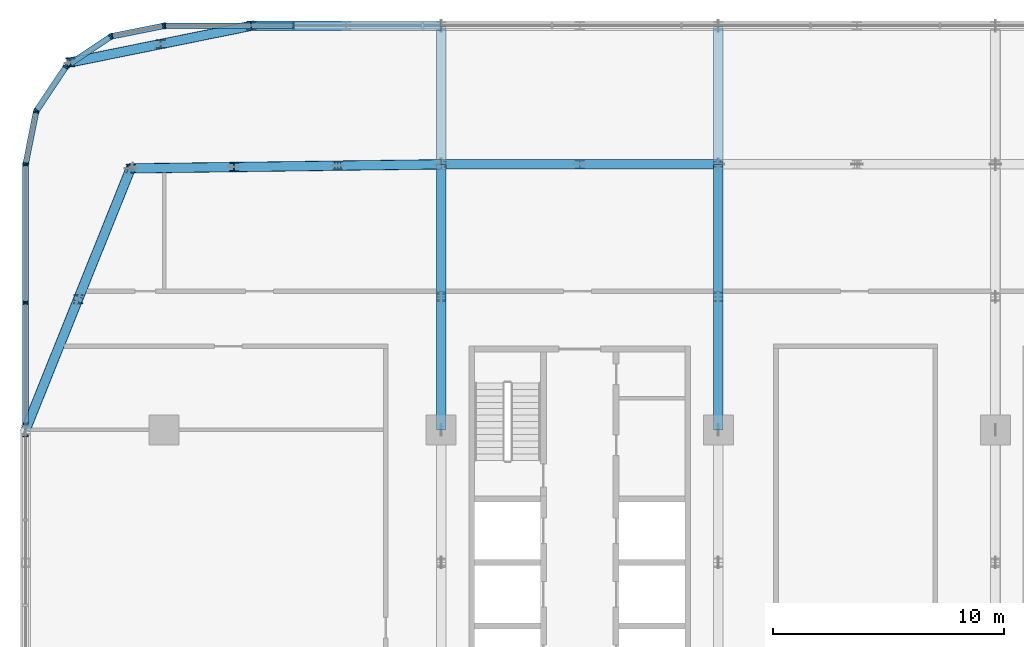
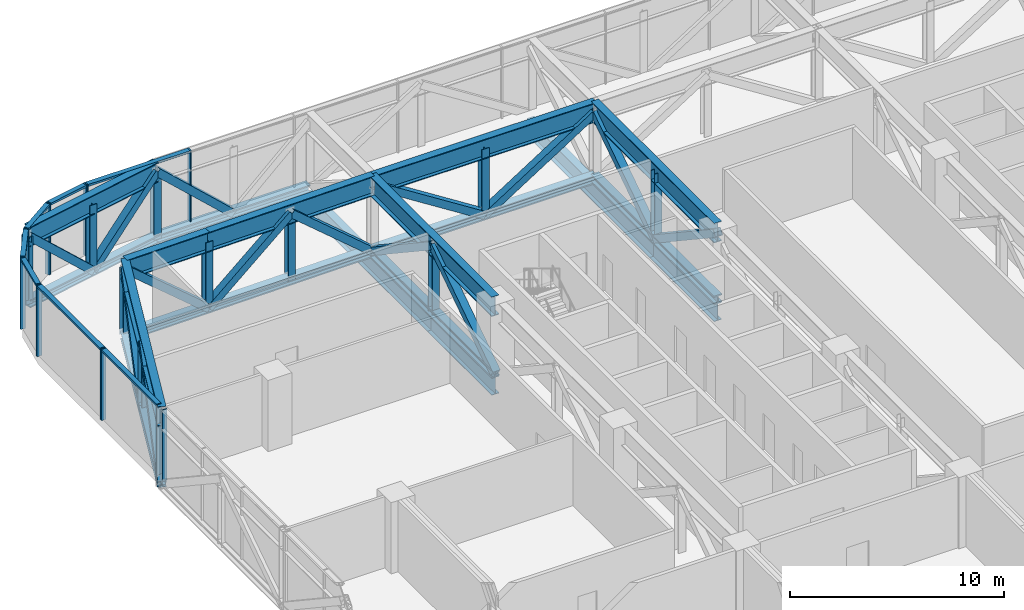
# One storey, part 7 of 30: 62 members, 4 beams, 8 elements without a shape of their own.
"""IFC4 building model written with IfcOpenShell, lengths in metres."""

from ifc_helpers import new_model, si_unit, direction, frame, origin, origin_2d, place, context, subcontext, project, spatial, rectangle, hollow_rectangle, i_section, extrude, material, material_profile, profile_set, type_object, element, aggregate, save


model = new_model("IFC4")

# Units and contexts
model_context = context("Model", 3, precision=1e-05, world=origin(), true_north=direction((0.0, 1.0)))
body_context = subcontext(model_context, "Body", "Model", "MODEL_VIEW")
ifc_project = project(units=[si_unit("LENGTHUNIT", "METRE"), si_unit("AREAUNIT", "SQUARE_METRE"), si_unit("VOLUMEUNIT", "CUBIC_METRE"), si_unit("PLANEANGLEUNIT", "RADIAN"), si_unit("MASSUNIT", "GRAM", prefix="KILO")], contexts=[model_context])

# Site, building, storey
site_placement = place(None, origin())
site = spatial("IfcSite", under=ifc_project, at=site_placement, CompositionType="ELEMENT")
building_placement = place(site_placement, origin())
building = spatial("IfcBuilding", under=site, at=building_placement, Name="Mahtab Terrace Research Tower", CompositionType="ELEMENT")
storey_placement = place(building_placement, frame((0.0, 0.0, 154.800048828125)))
storey = spatial("IfcBuildingStorey", under=building, at=storey_placement, Name="L36", CompositionType="ELEMENT", Elevation=154.800048828125)

# Members
ifc_material_1 = material(Name="Steel ASTM A500 Gr C", Category="steel")
ifc_material_profile_1 = material_profile(ifc_material_1, hollow_rectangle(XDim=0.406494140625, YDim=0.406494140625, WallThickness=0.015869140625, at=origin_2d()), Name="HSS16X16X5/8")
ifc_profile_set_1 = profile_set([ifc_material_profile_1], Name="Steel ASTM A500 Gr C")
member_type_1 = type_object("IfcMemberType", Name="HSS 16x16x5/8 brace TD161658", PredefinedType="BRACE", material=ifc_profile_set_1)
member_1_placement = place(storey_placement, frame((-42.14697265625, 28.2080078125, -0.317626953125), z_axis=(-0.708456359026, -0.1433170634, 0.691049785974), x_axis=(0.198278421898, -0.980145737842, 0.0)))
element("IfcMember", 1, at=member_1_placement, inside=storey, type_object=member_type_1, Name="Transfer truss T4 diagonal 006", PredefinedType="BRACE", context=body_context, shape_type="SweptSolid", body=[
    extrude(hollow_rectangle(XDim=0.406494140625, YDim=0.406494140625, WallThickness=0.015869140625, at=origin_2d()), origin(), (0.0, 0.0, 1.0), 5.526123046875),
])
member_2_placement = place(storey_placement, frame((-48.0, 11.5, -0.317626953125), z_axis=(0.316189203879, 0.786470614712, 0.530554765831), x_axis=(-0.927823987335, 0.373018295163, 0.0)))
element("IfcMember", 2, at=member_2_placement, inside=storey, type_object=member_type_1, Name="Transfer truss T4 diagonal 008", PredefinedType="BRACE", context=body_context, shape_type="SweptSolid", body=[
    extrude(hollow_rectangle(XDim=0.406494140625, YDim=0.406494140625, WallThickness=0.015869140625, at=origin_2d()), origin(), (0.0, 0.0, 1.0), 7.19775390625),
])
member_3_placement = place(storey_placement, frame((-45.72412109375, 17.160888671875, -0.317626953125), z_axis=(0.316211295821, 0.786475118255, 0.530534923225), x_axis=(-0.92781570636, 0.373038892116, 0.0)))
element("IfcMember", 3, at=member_3_placement, inside=storey, type_object=member_type_1, Name="Transfer truss T4 diagonal 010", PredefinedType="BRACE", context=body_context, shape_type="SweptSolid", body=[
    extrude(hollow_rectangle(XDim=0.406494140625, YDim=0.406494140625, WallThickness=0.015869140625, at=origin_2d()), origin(), (0.0, 0.0, 1.0), 7.197998046875),
])
member_4_placement = place(storey_placement, frame((-42.14697265625, 28.2080078125, -0.317626953125), z_axis=(0.708544363135, 0.143299121821, 0.690963274823), x_axis=(-0.198230919145, 0.980155346205, 0.0)))
element("IfcMember", 4, at=member_4_placement, inside=storey, type_object=member_type_1, Name="Transfer truss T4 diagonal 011", PredefinedType="BRACE", context=body_context, shape_type="SweptSolid", body=[
    extrude(hollow_rectangle(XDim=0.406494140625, YDim=0.406494140625, WallThickness=0.015869140625, at=origin_2d()), origin(), (0.0, 0.0, 1.0), 5.52685546875),
])
member_5_placement = place(storey_placement, frame((-38.965087890625, 22.881103515625, -0.317626953125), z_axis=(-0.761198858897, -0.010032138321, 0.648440940576), x_axis=(0.013178247766, -0.999913163123, 0.0)))
element("IfcMember", 5, at=member_5_placement, inside=storey, type_object=member_type_1, Name="Transfer truss T4 diagonal 017", PredefinedType="BRACE", context=body_context, shape_type="SweptSolid", body=[
    extrude(hollow_rectangle(XDim=0.406494140625, YDim=0.406494140625, WallThickness=0.015869140625, at=origin_2d()), origin(), (0.0, 0.0, 1.0), 5.88916015625),
])
member_6_placement = place(storey_placement, frame((-34.114990234375, 29.0, -0.317626953125), z_axis=(-0.733070646332, 0.0, 0.68015250311), x_axis=(0.0, -1.0, 0.0)))
element("IfcMember", 6, at=member_6_placement, inside=storey, type_object=member_type_1, Name="Transfer truss T4 diagonal 018", PredefinedType="BRACE", context=body_context, shape_type="SweptSolid", body=[
    extrude(hollow_rectangle(XDim=0.406494140625, YDim=0.406494140625, WallThickness=0.015869140625, at=origin_2d()), origin(), (0.0, 0.0, 1.0), 5.61474609375),
])
member_7_placement = place(storey_placement, frame((-38.965087890625, 22.881103515625, -0.317626953125), z_axis=(0.761145590639, 0.01015745246, 0.648501515811), x_axis=(-0.013343765301, 0.999910968, 0.0)))
element("IfcMember", 7, at=member_7_placement, inside=storey, type_object=member_type_1, Name="Transfer truss T4 diagonal 020", PredefinedType="BRACE", context=body_context, shape_type="SweptSolid", body=[
    extrude(hollow_rectangle(XDim=0.406494140625, YDim=0.406494140625, WallThickness=0.015869140625, at=origin_2d()), origin(), (0.0, 0.0, 1.0), 5.888671875),
])
for number, where, z_axis, x_axis, name in (
    (8, (-30.0, 11.5, -0.317626953125), (0.0, 0.833017600398, 0.553246488852), (-1.0, 0.0, 0.0), "Transfer truss T4 diagonal 029"),
    (9, (-30.0, 23.0, -0.317626953125), (0.0, -0.833017600398, 0.553246488852), (1.0, 0.0, 0.0), "Transfer truss T4 diagonal 030"),
):
    element("IfcMember", number, at=place(storey_placement, frame(where, z_axis=z_axis, x_axis=x_axis)), inside=storey, type_object=member_type_1, Name=name, PredefinedType="BRACE", context=body_context, shape_type="SweptSolid", body=[
        extrude(hollow_rectangle(XDim=0.406494140625, YDim=0.406494140625, WallThickness=0.015869140625, at=origin_2d()), origin(), (0.0, 0.0, 1.0), 6.902587890625),
    ])
member_8_placement = place(storey_placement, frame((-30.0, 23.0, -0.317626953125), z_axis=(-0.761198858897, -0.010032138321, 0.648440940576), x_axis=(0.013178247766, -0.999913163123, 0.0)))
element("IfcMember", 10, at=member_8_placement, inside=storey, type_object=member_type_1, Name="Transfer truss T4 diagonal 031", PredefinedType="BRACE", context=body_context, shape_type="SweptSolid", body=[
    extrude(hollow_rectangle(XDim=0.406494140625, YDim=0.406494140625, WallThickness=0.015869140625, at=origin_2d()), origin(), (0.0, 0.0, 1.0), 5.88916015625),
])
member_9_placement = place(storey_placement, frame((-24.0, 23.0, -0.317626953125), z_axis=(-0.843619081223, 0.0, 0.536942125183), x_axis=(0.0, -1.0, 0.0)))
element("IfcMember", 11, at=member_9_placement, inside=storey, type_object=member_type_1, Name="Transfer truss T4 diagonal 035", PredefinedType="BRACE", context=body_context, shape_type="SweptSolid", body=[
    extrude(hollow_rectangle(XDim=0.406494140625, YDim=0.406494140625, WallThickness=0.015869140625, at=origin_2d()), origin(), (0.0, 0.0, 1.0), 7.1123046875),
])
for number, where, z_axis, x_axis, name in (
    (12, (-18.0, 17.25, -0.317626953125), (0.0, -0.833017600398, 0.553246488852), (1.0, 0.0, 0.0), "Transfer truss T4 diagonal 044"),
    (13, (-18.0, 17.25, -0.317626953125), (0.0, 0.833017600398, 0.553246488852), (-1.0, 0.0, 0.0), "Transfer truss T4 diagonal 045"),
):
    element("IfcMember", number, at=place(storey_placement, frame(where, z_axis=z_axis, x_axis=x_axis)), inside=storey, type_object=member_type_1, Name=name, PredefinedType="BRACE", context=body_context, shape_type="SweptSolid", body=[
        extrude(hollow_rectangle(XDim=0.406494140625, YDim=0.406494140625, WallThickness=0.015869140625, at=origin_2d()), origin(), (0.0, 0.0, 1.0), 6.902587890625),
    ])
member_10_placement = place(storey_placement, frame((-24.0, 23.0, -0.317626953125), z_axis=(0.843619081223, 0.0, 0.536942125183), x_axis=(0.0, 1.0, 0.0)))
element("IfcMember", 14, at=member_10_placement, inside=storey, type_object=member_type_1, Name="Transfer truss T4 diagonal 046", PredefinedType="BRACE", context=body_context, shape_type="SweptSolid", body=[
    extrude(hollow_rectangle(XDim=0.406494140625, YDim=0.406494140625, WallThickness=0.015869140625, at=origin_2d()), origin(), (0.0, 0.0, 1.0), 7.1123046875),
])

# Curtain wall, members
ifc_material_2 = material(Name="Sky lounge full-height curtain wall")
curtain_wall_type = type_object("IfcCurtainWallType", Name="Sky lounge full-height curtain wall", PredefinedType="NOTDEFINED", material=ifc_material_2)
curtain_wall_1_placement = place(storey_placement, origin())
curtain_wall_1 = element("IfcCurtainWall", 15, at=curtain_wall_1_placement, inside=storey, type_object=curtain_wall_type, Name="EN.L36.5.0", PredefinedType="NOTDEFINED")
ifc_material_3 = material(Name="Natural anodised aluminium", Category="aluminium")
ifc_material_profile_2 = material_profile(ifc_material_3, rectangle(XDim=0.25, YDim=0.070068359375, at=origin_2d()), Name="MULLION 70x250")
ifc_profile_set_2 = profile_set([ifc_material_profile_2], Name="Natural anodised aluminium")
member_type_2 = type_object("IfcMemberType", Name="Sky lounge full-height curtain wall mullion", PredefinedType="MULLION", material=ifc_profile_set_2)
member_11_placement = place(storey_placement, frame((-36.39990234375, 29.0, 0.0), z_axis=(0.0, 0.0, 1.0), x_axis=(0.0, -1.0, 0.0)))
member_11 = element("IfcMember", 16, at=member_11_placement, type_object=member_type_2, Name="CWS-T4 mullion 15", PredefinedType="MULLION", context=body_context, shape_type="SweptSolid", body=[
    extrude(rectangle(XDim=0.25, YDim=0.070068359375, at=origin_2d()), origin(), (0.0, 0.0, 1.0), 4.06005859375),
])
member_12_placement = place(storey_placement, frame((-41.965087890625, 29.0, 0.0), z_axis=(0.0, 0.0, 1.0), x_axis=(0.0, -1.0, 0.0)))
member_12 = element("IfcMember", 17, at=member_12_placement, type_object=member_type_2, Name="CWS-T4 mullion 16", PredefinedType="MULLION", context=body_context, shape_type="SweptSolid", body=[
    extrude(rectangle(XDim=0.25, YDim=0.070068359375, at=origin_2d()), origin(), (0.0, 0.0, 1.0), 4.06005859375),
])

curtain_wall_2_placement = place(storey_placement, origin())
curtain_wall_2 = element("IfcCurtainWall", 18, at=curtain_wall_2_placement, inside=storey, type_object=curtain_wall_type, Name="EN.L36.6.0", PredefinedType="NOTDEFINED")
member_13_placement = place(storey_placement, frame((-42.034423828125, 28.9931640625, 0.0), z_axis=(0.0, 0.0, 1.0), x_axis=(0.195212442692, -0.980760981187, 0.0)))
member_13 = element("IfcMember", 19, at=member_13_placement, type_object=member_type_2, Name="CWS-T4 mullion 1", PredefinedType="MULLION", context=body_context, shape_type="SweptSolid", body=[
    extrude(rectangle(XDim=0.25, YDim=0.070068359375, at=origin_2d()), origin(), (0.0, 0.0, 1.0), 4.06005859375),
])
member_14_placement = place(storey_placement, frame((-44.26171875, 28.5498046875, 0.0), z_axis=(0.0, 0.0, 1.0), x_axis=(0.195212442692, -0.980760981187, 0.0)))
member_14 = element("IfcMember", 20, at=member_14_placement, type_object=member_type_2, Name="CWS-T4 mullion 2", PredefinedType="MULLION", context=body_context, shape_type="SweptSolid", body=[
    extrude(rectangle(XDim=0.25, YDim=0.070068359375, at=origin_2d()), origin(), (0.0, 0.0, 1.0), 4.06005859375),
])

curtain_wall_3_placement = place(storey_placement, origin())
curtain_wall_3 = element("IfcCurtainWall", 21, at=curtain_wall_3_placement, inside=storey, type_object=curtain_wall_type, Name="EN.L36.7.0", PredefinedType="NOTDEFINED")
member_15_placement = place(storey_placement, frame((-44.3251953125, 28.523681640625, 0.0), z_axis=(0.0, 0.0, 1.0), x_axis=(0.555291490808, -0.831655794326, 0.0)))
member_15 = element("IfcMember", 22, at=member_15_placement, type_object=member_type_2, Name="CWS-T4 mullion 1", PredefinedType="MULLION", context=body_context, shape_type="SweptSolid", body=[
    extrude(rectangle(XDim=0.25, YDim=0.070068359375, at=origin_2d()), origin(), (0.0, 0.0, 1.0), 4.06005859375),
])
member_16_placement = place(storey_placement, frame((-46.2138671875, 27.262451171875, 0.0), z_axis=(0.0, 0.0, 1.0), x_axis=(0.555291490808, -0.831655794326, 0.0)))
member_16 = element("IfcMember", 23, at=member_16_placement, type_object=member_type_2, Name="CWS-T4 mullion 2", PredefinedType="MULLION", context=body_context, shape_type="SweptSolid", body=[
    extrude(rectangle(XDim=0.25, YDim=0.070068359375, at=origin_2d()), origin(), (0.0, 0.0, 1.0), 4.06005859375),
])

curtain_wall_4_placement = place(storey_placement, origin())
curtain_wall_4 = element("IfcCurtainWall", 24, at=curtain_wall_4_placement, inside=storey, type_object=curtain_wall_type, Name="EN.L36.8.0", PredefinedType="NOTDEFINED")
member_17_placement = place(storey_placement, frame((-46.262451171875, 27.2138671875, 0.0), z_axis=(0.0, 0.0, 1.0), x_axis=(0.831655794326, -0.555291490808, 0.0)))
member_17 = element("IfcMember", 25, at=member_17_placement, type_object=member_type_2, Name="CWS-T4 mullion 1", PredefinedType="MULLION", context=body_context, shape_type="SweptSolid", body=[
    extrude(rectangle(XDim=0.25, YDim=0.070068359375, at=origin_2d()), origin(), (0.0, 0.0, 1.0), 4.06005859375),
])
member_18_placement = place(storey_placement, frame((-47.523681640625, 25.3251953125, 0.0), z_axis=(0.0, 0.0, 1.0), x_axis=(0.831655794326, -0.555291490808, 0.0)))
member_18 = element("IfcMember", 26, at=member_18_placement, type_object=member_type_2, Name="CWS-T4 mullion 2", PredefinedType="MULLION", context=body_context, shape_type="SweptSolid", body=[
    extrude(rectangle(XDim=0.25, YDim=0.070068359375, at=origin_2d()), origin(), (0.0, 0.0, 1.0), 4.06005859375),
])

curtain_wall_5_placement = place(storey_placement, origin())
curtain_wall_5 = element("IfcCurtainWall", 27, at=curtain_wall_5_placement, inside=storey, type_object=curtain_wall_type, Name="EN.L36.9.0", PredefinedType="NOTDEFINED")
member_19_placement = place(storey_placement, frame((-47.5498046875, 25.26171875, 0.0), z_axis=(0.0, 0.0, 1.0), x_axis=(0.980760981187, -0.195212442692, 0.0)))
member_19 = element("IfcMember", 28, at=member_19_placement, type_object=member_type_2, Name="CWS-T4 mullion 1", PredefinedType="MULLION", context=body_context, shape_type="SweptSolid", body=[
    extrude(rectangle(XDim=0.25, YDim=0.070068359375, at=origin_2d()), origin(), (0.0, 0.0, 1.0), 4.06005859375),
])
member_20_placement = place(storey_placement, frame((-47.9931640625, 23.034423828125, 0.0), z_axis=(0.0, 0.0, 1.0), x_axis=(0.980760981187, -0.195212442692, 0.0)))
member_20 = element("IfcMember", 29, at=member_20_placement, type_object=member_type_2, Name="CWS-T4 mullion 2", PredefinedType="MULLION", context=body_context, shape_type="SweptSolid", body=[
    extrude(rectangle(XDim=0.25, YDim=0.070068359375, at=origin_2d()), origin(), (0.0, 0.0, 1.0), 4.06005859375),
])

curtain_wall_6_placement = place(storey_placement, origin())
curtain_wall_6 = element("IfcCurtainWall", 30, at=curtain_wall_6_placement, inside=storey, type_object=curtain_wall_type, Name="EN.L36.10.0", PredefinedType="NOTDEFINED")
member_21_placement = place(storey_placement, frame((-48.0, 22.965087890625, 0.0), z_axis=(0.0, 0.0, 1.0), x_axis=(1.0, 0.0, 0.0)))
member_21 = element("IfcMember", 31, at=member_21_placement, type_object=member_type_2, Name="CWS-T4 mullion 1", PredefinedType="MULLION", context=body_context, shape_type="SweptSolid", body=[
    extrude(rectangle(XDim=0.25, YDim=0.070068359375, at=origin_2d()), origin(), (0.0, 0.0, 1.0), 4.06005859375),
])
member_22_placement = place(storey_placement, frame((-48.0, 17.034912109375, 0.0), z_axis=(0.0, 0.0, 1.0), x_axis=(1.0, 0.0, 0.0)))
member_22 = element("IfcMember", 32, at=member_22_placement, type_object=member_type_2, Name="CWS-T4 mullion 2", PredefinedType="MULLION", context=body_context, shape_type="SweptSolid", body=[
    extrude(rectangle(XDim=0.25, YDim=0.070068359375, at=origin_2d()), origin(), (0.0, 0.0, 1.0), 4.06005859375),
])

curtain_wall_7_placement = place(storey_placement, origin())
curtain_wall_7 = element("IfcCurtainWall", 33, at=curtain_wall_7_placement, inside=storey, type_object=curtain_wall_type, Name="EN.L36.11.0", PredefinedType="NOTDEFINED")
member_23_placement = place(storey_placement, frame((-48.0, 16.965087890625, 0.0), z_axis=(0.0, 0.0, 1.0), x_axis=(1.0, 0.0, 0.0)))
member_23 = element("IfcMember", 34, at=member_23_placement, type_object=member_type_2, Name="CWS-T4 mullion 1", PredefinedType="MULLION", context=body_context, shape_type="SweptSolid", body=[
    extrude(rectangle(XDim=0.25, YDim=0.070068359375, at=origin_2d()), origin(), (0.0, 0.0, 1.0), 4.06005859375),
])
member_24_placement = place(storey_placement, frame((-48.0, 11.7529296875, 0.0), z_axis=(0.0, 0.0, 1.0), x_axis=(1.0, 0.0, 0.0)))
member_24 = element("IfcMember", 35, at=member_24_placement, type_object=member_type_2, Name="CWS-T4 mullion 2", PredefinedType="MULLION", context=body_context, shape_type="SweptSolid", body=[
    extrude(rectangle(XDim=0.25, YDim=0.070068359375, at=origin_2d()), origin(), (0.0, 0.0, 1.0), 4.06005859375),
])

# Curtain wall, member
curtain_wall_8_placement = place(storey_placement, origin())
curtain_wall_8 = element("IfcCurtainWall", 36, at=curtain_wall_8_placement, inside=storey, type_object=curtain_wall_type, Name="EN.L36.11.1", PredefinedType="NOTDEFINED")
member_25_placement = place(storey_placement, frame((-48.0, 11.2470703125, 0.0), z_axis=(0.0, 0.0, 1.0), x_axis=(1.0, 0.0, 0.0)))
member_25 = element("IfcMember", 37, at=member_25_placement, type_object=member_type_2, Name="CWS-T4 mullion 1", PredefinedType="MULLION", context=body_context, shape_type="SweptSolid", body=[
    extrude(rectangle(XDim=0.25, YDim=0.070068359375, at=origin_2d()), origin(), (0.0, 0.0, 1.0), 4.06005859375),
])
aggregate(curtain_wall_8, [member_25])

# Member
ifc_material_profile_3 = material_profile(ifc_material_3, rectangle(XDim=0.25, YDim=0.1201171875, at=origin_2d()), Name="TRANSOM 120x250")
ifc_profile_set_3 = profile_set([ifc_material_profile_3], Name="Natural anodised aluminium")
member_type_3 = type_object("IfcMemberType", Name="Sky lounge full-height curtain wall transom", PredefinedType="USERDEFINED", material=ifc_profile_set_3)
member_26_placement = place(storey_placement, frame((-36.43505859375, 29.0, 4.0), z_axis=(-1.0, 0.0, 0.0), x_axis=(0.0, -1.0, 0.0)))
member_26 = element("IfcMember", 38, at=member_26_placement, type_object=member_type_3, Name="CWS-T4 transom 15", ObjectType="TRANSOM", PredefinedType="USERDEFINED", context=body_context, shape_type="SweptSolid", body=[
    extrude(rectangle(XDim=0.25, YDim=0.1201171875, at=origin_2d()), origin(), (0.0, 0.0, 1.0), 5.494873046875),
])

aggregate(curtain_wall_1, [member_11, member_12, member_26])

member_27_placement = place(storey_placement, frame((-42.068603515625, 28.986328125, 4.0), z_axis=(-0.980759445767, -0.195220156588, 0.0), x_axis=(0.195220156588, -0.980759445767, 0.0)))
member_27 = element("IfcMember", 39, at=member_27_placement, type_object=member_type_3, Name="CWS-T4 transom 1", ObjectType="TRANSOM", PredefinedType="USERDEFINED", context=body_context, shape_type="SweptSolid", body=[
    extrude(rectangle(XDim=0.25, YDim=0.1201171875, at=origin_2d()), origin(), (0.0, 0.0, 1.0), 2.200927734375),
])

aggregate(curtain_wall_2, [member_13, member_14, member_27])

member_28_placement = place(storey_placement, frame((-44.354248046875, 28.504150390625, 4.0), z_axis=(-0.831674683806, -0.555263199137, 0.0), x_axis=(0.555263199137, -0.831674683806, 0.0)))
member_28 = element("IfcMember", 40, at=member_28_placement, type_object=member_type_3, Name="CWS-T4 transom 1", ObjectType="TRANSOM", PredefinedType="USERDEFINED", context=body_context, shape_type="SweptSolid", body=[
    extrude(rectangle(XDim=0.25, YDim=0.1201171875, at=origin_2d()), origin(), (0.0, 0.0, 1.0), 2.201171875),
])

aggregate(curtain_wall_3, [member_15, member_16, member_28])

member_29_placement = place(storey_placement, frame((-46.281982421875, 27.184814453125, 4.0), z_axis=(-0.555263199137, -0.831674683806, 0.0), x_axis=(0.831674683806, -0.555263199137, 0.0)))
member_29 = element("IfcMember", 41, at=member_29_placement, type_object=member_type_3, Name="CWS-T4 transom 1", ObjectType="TRANSOM", PredefinedType="USERDEFINED", context=body_context, shape_type="SweptSolid", body=[
    extrude(rectangle(XDim=0.25, YDim=0.1201171875, at=origin_2d()), origin(), (0.0, 0.0, 1.0), 2.201171875),
])

aggregate(curtain_wall_4, [member_17, member_18, member_29])

member_30_placement = place(storey_placement, frame((-47.556640625, 25.227294921875, 4.0), z_axis=(-0.195220156588, -0.980759445767, 0.0), x_axis=(0.980759445767, -0.195220156588, 0.0)))
member_30 = element("IfcMember", 42, at=member_30_placement, type_object=member_type_3, Name="CWS-T4 transom 1", ObjectType="TRANSOM", PredefinedType="USERDEFINED", context=body_context, shape_type="SweptSolid", body=[
    extrude(rectangle(XDim=0.25, YDim=0.1201171875, at=origin_2d()), origin(), (0.0, 0.0, 1.0), 2.200927734375),
])

aggregate(curtain_wall_5, [member_19, member_20, member_30])

member_31_placement = place(storey_placement, frame((-48.0, 22.929931640625, 4.0), z_axis=(0.0, -1.0, 0.0), x_axis=(1.0, 0.0, 0.0)))
member_31 = element("IfcMember", 43, at=member_31_placement, type_object=member_type_3, Name="CWS-T4 transom 1", ObjectType="TRANSOM", PredefinedType="USERDEFINED", context=body_context, shape_type="SweptSolid", body=[
    extrude(rectangle(XDim=0.25, YDim=0.1201171875, at=origin_2d()), origin(), (0.0, 0.0, 1.0), 5.85986328125),
])

aggregate(curtain_wall_6, [member_21, member_22, member_31])

member_32_placement = place(storey_placement, frame((-48.0, 16.929931640625, 4.0), z_axis=(0.0, -1.0, 0.0), x_axis=(1.0, 0.0, 0.0)))
member_32 = element("IfcMember", 44, at=member_32_placement, type_object=member_type_3, Name="CWS-T4 transom 1", ObjectType="TRANSOM", PredefinedType="USERDEFINED", context=body_context, shape_type="SweptSolid", body=[
    extrude(rectangle(XDim=0.25, YDim=0.1201171875, at=origin_2d()), origin(), (0.0, 0.0, 1.0), 5.141845703125),
])

aggregate(curtain_wall_7, [member_23, member_24, member_32])

# Members
ifc_material_4 = material(Name="Steel ASTM A992 Gr 50", Category="steel")
ifc_material_profile_4 = material_profile(ifc_material_4, i_section(OverallWidth=0.396240234375, OverallDepth=0.381103515625, WebThickness=0.018798828125, FlangeThickness=0.0302734375, at=origin_2d()), Name="W14X159")
ifc_profile_set_4 = profile_set([ifc_material_profile_4], Name="Steel ASTM A992 Gr 50")
member_type_4 = type_object("IfcMemberType", Name="W14x159 post TP14159", PredefinedType="POST", material=ifc_profile_set_4)
for number, where, z_axis, x_axis, name in (
    (45, (-46.06005859375, 27.419921875, -0.317626953125), (0.0, 0.0, 1.0), (1.0, 0.0, 0.0), "Transfer truss T4 post 006"),
    (46, (-45.719970703125, 17.159912109375, -0.317626953125), (0.0, 0.0, 1.0), (1.0, 0.0, 0.0), "Transfer truss T4 post 008"),
    (47, (-43.449951171875, 22.820068359375, -0.317626953125), (0.0, 0.0, 1.0), (1.0, 0.0, 0.0), "Transfer truss T4 post 010"),
    (48, (-42.14990234375, 28.2099609375, -0.317626953125), (0.0, 0.0, 1.0), (1.0, 0.0, 0.0), "Transfer truss T4 post 011"),
    (49, (-38.969970703125, 22.8798828125, -0.317626953125), (0.0, 0.0, 1.0), (1.0, 0.0, 0.0), "Transfer truss T4 post 017"),
    (50, (-38.22998046875, 29.0, -0.317626953125), (0.0, 0.0, 1.0), (1.0, 0.0, 0.0), "Transfer truss T4 post 018"),
    (51, (-34.47998046875, 22.93994140625, -0.317626953125), (0.0, 0.0, 1.0), (1.0, 0.0, 0.0), "Transfer truss T4 post 020"),
    (52, (-30.0, 17.25, -0.317626953125), (0.0, 0.0, 1.0), (1.0, 0.0, 0.0), "Transfer truss T4 post 029"),
    (53, (-24.0, 23.0, -0.317626953125), (0.0, 0.0, 1.0), (1.0, 0.0, 0.0), "Transfer truss T4 post 033"),
    (54, (-18.0, 17.25, -0.317626953125), (0.0, 0.0, 1.0), (1.0, 0.0, 0.0), "Transfer truss T4 post 042"),
):
    element("IfcMember", number, at=place(storey_placement, frame(where, z_axis=z_axis, x_axis=x_axis)), inside=storey, type_object=member_type_4, Name=name, PredefinedType="POST", context=body_context, shape_type="SweptSolid", body=[
        extrude(i_section(OverallWidth=0.396240234375, OverallDepth=0.381103515625, WebThickness=0.018798828125, FlangeThickness=0.0302734375, at=origin_2d()), origin(), (0.0, 0.0, 1.0), 3.81884765625),
    ])
ifc_material_profile_5 = material_profile(ifc_material_4, i_section(OverallWidth=0.421630859375, OverallDepth=0.46484375, WebThickness=0.044921875, FlangeThickness=0.072509765625, at=origin_2d()), Name="W14X398")
ifc_profile_set_5 = profile_set([ifc_material_profile_5], Name="Steel ASTM A992 Gr 50")
member_type_5 = type_object("IfcMemberType", Name="W14x398 chord TC14398", PredefinedType="CHORD", material=ifc_profile_set_5)
member_33_placement = place(storey_placement, frame((-43.447998046875, 22.822021484375, -0.317626953125), z_axis=(-0.373038892116, -0.92781570636, 0.0), x_axis=(0.92781570636, -0.373038892116, 0.0)))
element("IfcMember", 55, at=member_33_placement, inside=storey, type_object=member_type_5, Name="Transfer truss T4 bottom chord 005", PredefinedType="CHORD", context=body_context, shape_type="SweptSolid", body=[
    extrude(i_section(OverallWidth=0.421630859375, OverallDepth=0.46484375, WebThickness=0.044921875, FlangeThickness=0.072509765625, at=origin_2d()), origin(), (0.0, 0.0, 1.0), 6.1015625),
])
member_34_placement = place(storey_placement, frame((-45.72412109375, 17.160888671875, -0.317626953125), z_axis=(-0.373018295163, -0.927823987335, 0.0), x_axis=(0.927823987335, -0.373018295163, 0.0)))
element("IfcMember", 56, at=member_34_placement, inside=storey, type_object=member_type_5, Name="Transfer truss T4 bottom chord 006", PredefinedType="CHORD", context=body_context, shape_type="SweptSolid", body=[
    extrude(i_section(OverallWidth=0.421630859375, OverallDepth=0.46484375, WebThickness=0.044921875, FlangeThickness=0.072509765625, at=origin_2d()), origin(), (0.0, 0.0, 1.0), 6.101318359375),
])
member_35_placement = place(storey_placement, frame((-46.06201171875, 27.416015625, -0.317626953125), z_axis=(0.980150542887, 0.198254667734, 0.0), x_axis=(-0.198254667734, 0.980150542887, 0.0)))
element("IfcMember", 57, at=member_35_placement, inside=storey, type_object=member_type_5, Name="Transfer truss T4 bottom chord 007", PredefinedType="CHORD", context=body_context, shape_type="SweptSolid", body=[
    extrude(i_section(OverallWidth=0.421630859375, OverallDepth=0.46484375, WebThickness=0.044921875, FlangeThickness=0.072509765625, at=origin_2d()), origin(), (0.0, 0.0, 1.0), 7.98974609375),
])
member_36_placement = place(storey_placement, frame((-18.0, 23.0, -0.317626953125), z_axis=(-1.0, 0.0, 0.0), x_axis=(0.0, -1.0, 0.0)))
element("IfcMember", 58, at=member_36_placement, inside=storey, type_object=member_type_5, Name="Transfer truss T4 bottom chord 013", PredefinedType="CHORD", context=body_context, shape_type="SweptSolid", body=[
    extrude(i_section(OverallWidth=0.421630859375, OverallDepth=0.46484375, WebThickness=0.044921875, FlangeThickness=0.072509765625, at=origin_2d()), origin(), (0.0, 0.0, 1.0), 12.0),
])
member_37_placement = place(storey_placement, frame((-30.0, 23.0, -0.317626953125), z_axis=(-0.999912069075, -0.013260999908, 0.0), x_axis=(0.013260999908, -0.999912069075, 0.0)))
element("IfcMember", 59, at=member_37_placement, inside=storey, type_object=member_type_5, Name="Transfer truss T4 bottom chord 014", PredefinedType="CHORD", context=body_context, shape_type="SweptSolid", body=[
    extrude(i_section(OverallWidth=0.421630859375, OverallDepth=0.46484375, WebThickness=0.044921875, FlangeThickness=0.072509765625, at=origin_2d()), origin(), (0.0, 0.0, 1.0), 8.9658203125),
])
member_38_placement = place(storey_placement, frame((-38.965087890625, 22.881103515625, -0.317626953125), z_axis=(-0.999913163123, -0.013178247766, 0.0), x_axis=(0.013178247766, -0.999913163123, 0.0)))
element("IfcMember", 60, at=member_38_placement, inside=storey, type_object=member_type_5, Name="Transfer truss T4 bottom chord 015", PredefinedType="CHORD", context=body_context, shape_type="SweptSolid", body=[
    extrude(i_section(OverallWidth=0.421630859375, OverallDepth=0.46484375, WebThickness=0.044921875, FlangeThickness=0.072509765625, at=origin_2d()), origin(), (0.0, 0.0, 1.0), 4.4833984375),
])
member_39_placement = place(storey_placement, frame((-38.23095703125, 29.0, -0.317626953125), z_axis=(1.0, 0.0, 0.0), x_axis=(0.0, 1.0, 0.0)))
element("IfcMember", 61, at=member_39_placement, inside=storey, type_object=member_type_5, Name="Transfer truss T4 bottom chord 026", PredefinedType="CHORD", context=body_context, shape_type="SweptSolid", body=[
    extrude(i_section(OverallWidth=0.421630859375, OverallDepth=0.46484375, WebThickness=0.044921875, FlangeThickness=0.072509765625, at=origin_2d()), origin(), (0.0, 0.0, 1.0), 8.23095703125),
])
for number, where, z_axis, x_axis, name in (
    (62, (-30.0, 11.5, -0.317626953125), (0.0, 1.0, 0.0), (-1.0, 0.0, 0.0), "Transfer truss T4 bottom chord 037"),
    (63, (-18.0, 11.5, -0.317626953125), (0.0, 1.0, 0.0), (-1.0, 0.0, 0.0), "Transfer truss T4 bottom chord 043"),
):
    element("IfcMember", number, at=place(storey_placement, frame(where, z_axis=z_axis, x_axis=x_axis)), inside=storey, type_object=member_type_5, Name=name, PredefinedType="CHORD", context=body_context, shape_type="SweptSolid", body=[
        extrude(i_section(OverallWidth=0.421630859375, OverallDepth=0.46484375, WebThickness=0.044921875, FlangeThickness=0.072509765625, at=origin_2d()), origin(), (0.0, 0.0, 1.0), 11.5),
    ])

# Beams
ifc_material_profile_6 = material_profile(ifc_material_4, i_section(OverallWidth=0.4013671875, OverallDepth=1.000732421875, WebThickness=0.01904296875, FlangeThickness=0.0361328125, at=origin_2d()), Name="W40X249")
ifc_profile_set_6 = profile_set([ifc_material_profile_6], Name="Steel ASTM A992 Gr 50")
beam_type = type_object("IfcBeamType", Name="W40x249 transfer girder TG40249", PredefinedType="BEAM", material=ifc_profile_set_6)
beam_1_placement = place(storey_placement, frame((-18.0, 11.5, -1.04833984375), z_axis=(0.0, 1.0, 0.0), x_axis=(-1.0, 0.0, 0.0)))
element("IfcBeam", 64, at=beam_1_placement, inside=storey, type_object=beam_type, Name="Transfer girder T4 17", PredefinedType="BEAM", context=body_context, shape_type="SweptSolid", body=[
    extrude(i_section(OverallWidth=0.4013671875, OverallDepth=1.000732421875, WebThickness=0.01904296875, FlangeThickness=0.0361328125, at=origin_2d()), origin(), (0.0, 0.0, 1.0), 6.0),
])
beam_2_placement = place(storey_placement, frame((-18.0, 17.5, -1.04833984375), z_axis=(0.0, 1.0, 0.0), x_axis=(-1.0, 0.0, 0.0)))
element("IfcBeam", 65, at=beam_2_placement, inside=storey, type_object=beam_type, Name="Transfer girder T4 18", PredefinedType="BEAM", context=body_context, shape_type="SweptSolid", body=[
    extrude(i_section(OverallWidth=0.4013671875, OverallDepth=1.000732421875, WebThickness=0.01904296875, FlangeThickness=0.0361328125, at=origin_2d()), origin(), (0.0, 0.0, 1.0), 11.5),
])
beam_3_placement = place(storey_placement, frame((-30.0, 11.5, -1.04833984375), z_axis=(0.0, 1.0, 0.0), x_axis=(-1.0, 0.0, 0.0)))
element("IfcBeam", 66, at=beam_3_placement, inside=storey, type_object=beam_type, Name="Transfer girder T4 20", PredefinedType="BEAM", context=body_context, shape_type="SweptSolid", body=[
    extrude(i_section(OverallWidth=0.4013671875, OverallDepth=1.000732421875, WebThickness=0.01904296875, FlangeThickness=0.0361328125, at=origin_2d()), origin(), (0.0, 0.0, 1.0), 6.0),
])
beam_4_placement = place(storey_placement, frame((-30.0, 17.5, -1.04833984375), z_axis=(0.0, 1.0, 0.0), x_axis=(-1.0, 0.0, 0.0)))
element("IfcBeam", 67, at=beam_4_placement, inside=storey, type_object=beam_type, Name="Transfer girder T4 21", PredefinedType="BEAM", context=body_context, shape_type="SweptSolid", body=[
    extrude(i_section(OverallWidth=0.4013671875, OverallDepth=1.000732421875, WebThickness=0.01904296875, FlangeThickness=0.0361328125, at=origin_2d()), origin(), (0.0, 0.0, 1.0), 11.5),
])

# Members
ifc_material_profile_7 = material_profile(ifc_material_4, i_section(OverallWidth=0.40380859375, OverallDepth=1.11767578125, WebThickness=0.026123046875, FlangeThickness=0.044921875, at=origin_2d()), Name="W44X335")
ifc_profile_set_7 = profile_set([ifc_material_profile_7], Name="Steel ASTM A992 Gr 50")
member_type_6 = type_object("IfcMemberType", Name="W44x335 chord TT44335", PredefinedType="CHORD", material=ifc_profile_set_7)
member_40_placement = place(storey_placement, frame((-43.447998046875, 22.822021484375, 3.501220703125), z_axis=(-0.373028593931, -0.927819846797, 0.0), x_axis=(0.927819846797, -0.373028593931, 0.0)))
element("IfcMember", 68, at=member_40_placement, inside=storey, type_object=member_type_6, Name="Transfer truss T4 top chord 005", PredefinedType="CHORD", context=body_context, shape_type="SweptSolid", body=[
    extrude(i_section(OverallWidth=0.40380859375, OverallDepth=1.11767578125, WebThickness=0.026123046875, FlangeThickness=0.044921875, at=origin_2d()), origin(), (0.0, 0.0, 1.0), 12.202880859375),
])
member_41_placement = place(storey_placement, frame((-46.06201171875, 27.416015625, 3.501220703125), z_axis=(0.980150542887, 0.198254667734, 0.0), x_axis=(-0.198254667734, 0.980150542887, 0.0)))
element("IfcMember", 69, at=member_41_placement, inside=storey, type_object=member_type_6, Name="Transfer truss T4 top chord 006", PredefinedType="CHORD", context=body_context, shape_type="SweptSolid", body=[
    extrude(i_section(OverallWidth=0.40380859375, OverallDepth=1.11767578125, WebThickness=0.026123046875, FlangeThickness=0.044921875, at=origin_2d()), origin(), (0.0, 0.0, 1.0), 7.98974609375),
])
member_42_placement = place(storey_placement, frame((-18.0, 23.0, 3.501220703125), z_axis=(-1.0, 0.0, 0.0), x_axis=(0.0, -1.0, 0.0)))
element("IfcMember", 70, at=member_42_placement, inside=storey, type_object=member_type_6, Name="Transfer truss T4 top chord 012", PredefinedType="CHORD", context=body_context, shape_type="SweptSolid", body=[
    extrude(i_section(OverallWidth=0.40380859375, OverallDepth=1.11767578125, WebThickness=0.026123046875, FlangeThickness=0.044921875, at=origin_2d()), origin(), (0.0, 0.0, 1.0), 12.0),
])
member_43_placement = place(storey_placement, frame((-30.0, 23.0, 3.501220703125), z_axis=(-0.999912069075, -0.013260999908, 0.0), x_axis=(0.013260999908, -0.999912069075, 0.0)))
element("IfcMember", 71, at=member_43_placement, inside=storey, type_object=member_type_6, Name="Transfer truss T4 top chord 013", PredefinedType="CHORD", context=body_context, shape_type="SweptSolid", body=[
    extrude(i_section(OverallWidth=0.40380859375, OverallDepth=1.11767578125, WebThickness=0.026123046875, FlangeThickness=0.044921875, at=origin_2d()), origin(), (0.0, 0.0, 1.0), 8.9658203125),
])
member_44_placement = place(storey_placement, frame((-38.965087890625, 22.881103515625, 3.501220703125), z_axis=(-0.999913163123, -0.013178247766, 0.0), x_axis=(0.013178247766, -0.999913163123, 0.0)))
element("IfcMember", 72, at=member_44_placement, inside=storey, type_object=member_type_6, Name="Transfer truss T4 top chord 014", PredefinedType="CHORD", context=body_context, shape_type="SweptSolid", body=[
    extrude(i_section(OverallWidth=0.40380859375, OverallDepth=1.11767578125, WebThickness=0.026123046875, FlangeThickness=0.044921875, at=origin_2d()), origin(), (0.0, 0.0, 1.0), 4.4833984375),
])
for number, where, z_axis, x_axis, name in (
    (73, (-30.0, 11.5, 3.501220703125), (0.0, 1.0, 0.0), (-1.0, 0.0, 0.0), "Transfer truss T4 top chord 036"),
    (74, (-18.0, 11.5, 3.501220703125), (0.0, 1.0, 0.0), (-1.0, 0.0, 0.0), "Transfer truss T4 top chord 042"),
):
    element("IfcMember", number, at=place(storey_placement, frame(where, z_axis=z_axis, x_axis=x_axis)), inside=storey, type_object=member_type_6, Name=name, PredefinedType="CHORD", context=body_context, shape_type="SweptSolid", body=[
        extrude(i_section(OverallWidth=0.40380859375, OverallDepth=1.11767578125, WebThickness=0.026123046875, FlangeThickness=0.044921875, at=origin_2d()), origin(), (0.0, 0.0, 1.0), 11.5),
    ])

save(model, "model.ifc")
